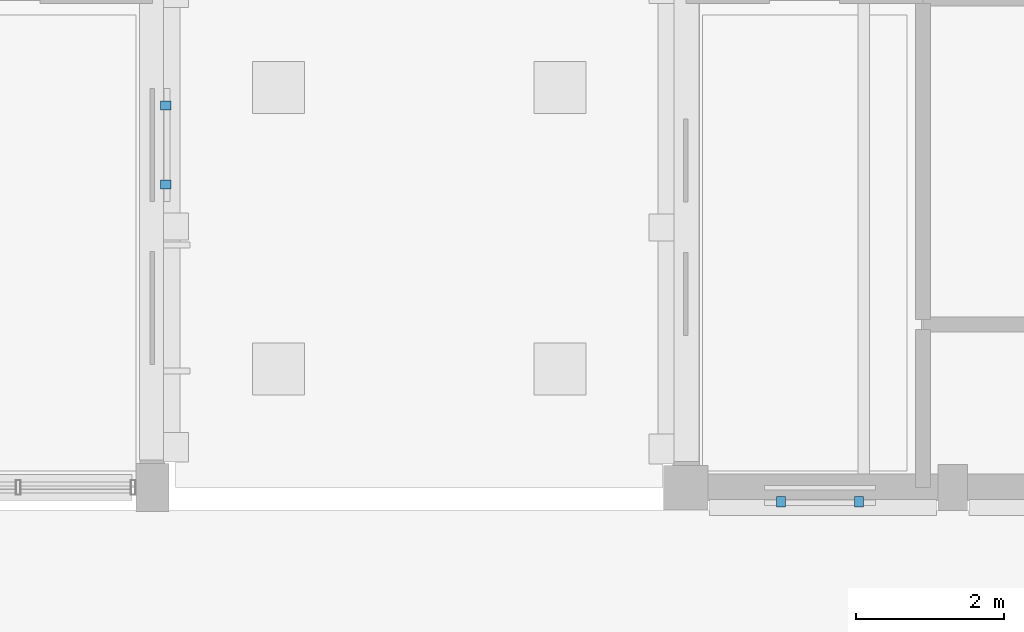
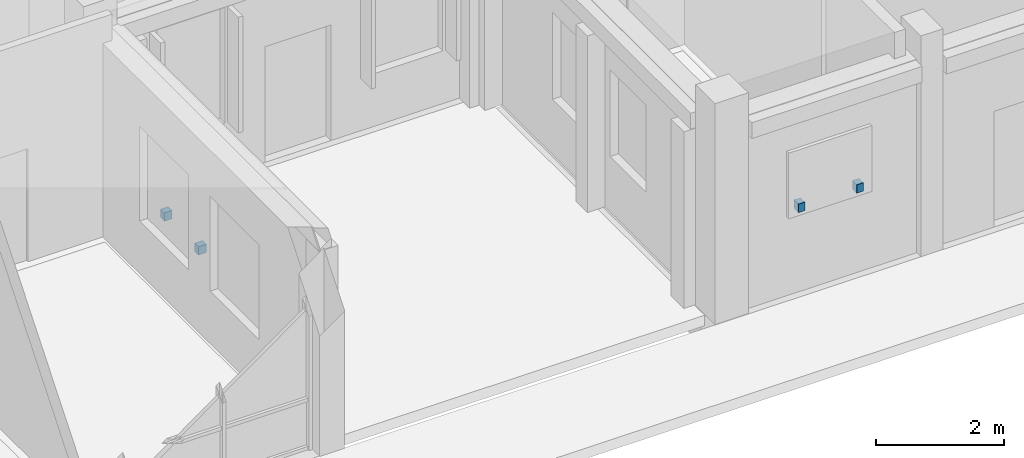
# One storey, part 86 of 104: 4 discrete accessories.
"""IFC4 building model written with IfcOpenShell, lengths in metres."""

from ifc_helpers import new_model, si_unit, direction, frame, origin, origin_2d, place, context, subcontext, project, spatial, rectangle, extrude, material, type_object, element, save


model = new_model("IFC4")

# Units and contexts
model_context = context("Model", 3, precision=1e-05, world=origin(), true_north=direction((0.0, 1.0)))
body_context = subcontext(model_context, "Body", "Model", "MODEL_VIEW")
ifc_project = project(units=[si_unit("LENGTHUNIT", "METRE"), si_unit("AREAUNIT", "SQUARE_METRE"), si_unit("VOLUMEUNIT", "CUBIC_METRE"), si_unit("PLANEANGLEUNIT", "RADIAN"), si_unit("MASSUNIT", "GRAM", prefix="KILO")], contexts=[model_context])

# Site, building, storey
site_placement = place(None, origin())
site = spatial("IfcSite", under=ifc_project, at=site_placement, CompositionType="ELEMENT")
building_placement = place(site_placement, origin())
building = spatial("IfcBuilding", under=site, at=building_placement, Name="Hawrajan Terrace Health Centre", CompositionType="ELEMENT")
storey_placement = place(building_placement, origin())
storey = spatial("IfcBuildingStorey", under=building, at=storey_placement, Name="L00", CompositionType="ELEMENT", Elevation=0.0)

# Discrete accessories
ifc_material = material(Name="Steel S355", Category="steel")
discrete_accessory_type = type_object("IfcDiscreteAccessoryType", Name="FacadeBracket_S355", PredefinedType="BRACKET", material=ifc_material)
for number, where, z_axis, x_axis, name in (
    (1, (40.780029296875, 8.29052734375, 1.06982421875), (0.0, 0.0, 1.0), (0.0, 1.0, 0.0), "Roshan support bracket BRK-L00-021-1"),
    (2, (40.780029296875, 9.3544921875, 1.06982421875), (0.0, 0.0, 1.0), (0.0, 1.0, 0.0), "Roshan support bracket BRK-L00-021-2"),
    (3, (49.0849609375, 4.010009765625, 1.56982421875), (0.0, 0.0, 1.0), (1.0, 0.0, 0.0), "Roshan support bracket BRK-L00-026-1"),
    (4, (50.135009765625, 4.010009765625, 1.56982421875), (0.0, 0.0, 1.0), (1.0, 0.0, 0.0), "Roshan support bracket BRK-L00-026-2"),
):
    element("IfcDiscreteAccessory", number, at=place(storey_placement, frame(where, z_axis=z_axis, x_axis=x_axis)), inside=storey, type_object=discrete_accessory_type, Name=name, PredefinedType="BRACKET", context=body_context, shape_type="SweptSolid", body=[
        extrude(rectangle(XDim=0.1201171875, YDim=0.139892578125, at=origin_2d()), origin(), (0.0, 0.0, 1.0), 0.159912109375),
    ])

save(model, "model.ifc")
